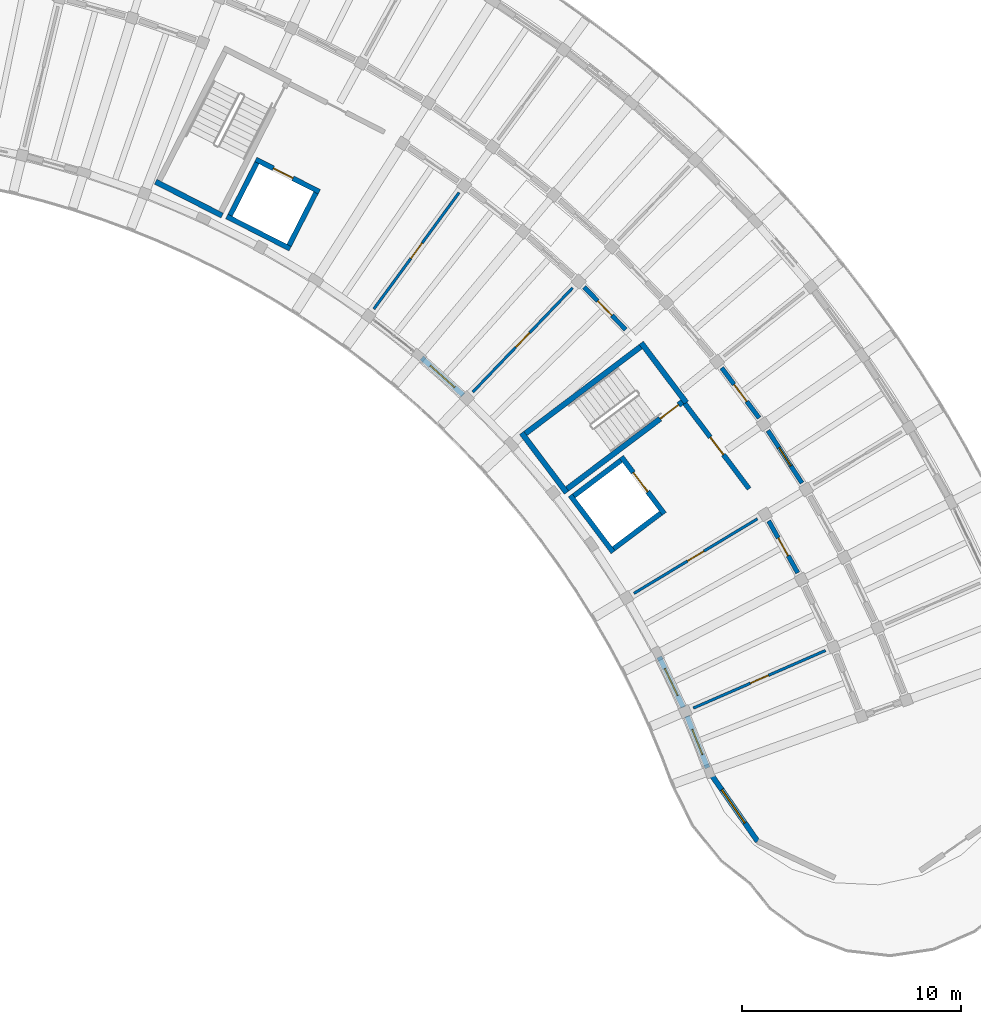
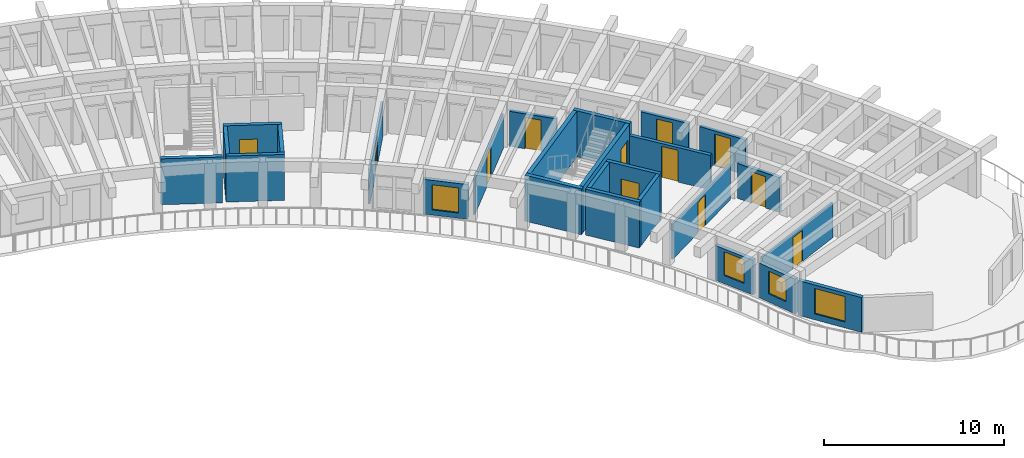
# One storey, part 55 of 83: 26 walls, 12 doors, 4 windows, 16 openings.
"""IFC4 building model written with IfcOpenShell, lengths in metres."""

from ifc_helpers import new_model, si_unit, direction, frame, frame_2d, origin, place, context, subcontext, project, spatial, rectangle, extrude, material, layer, layer_set, type_object, element, fill, save


model = new_model("IFC4")

# Units and contexts
model_context = context("Model", 3, precision=1e-05, world=origin(), true_north=direction((0.0, 1.0)))
body_context = subcontext(model_context, "Body", "Model", "MODEL_VIEW")
ifc_project = project(units=[si_unit("LENGTHUNIT", "METRE"), si_unit("AREAUNIT", "SQUARE_METRE"), si_unit("VOLUMEUNIT", "CUBIC_METRE"), si_unit("PLANEANGLEUNIT", "RADIAN"), si_unit("MASSUNIT", "GRAM", prefix="KILO")], contexts=[model_context])

# Site, building, storey
site_placement = place(None, origin())
site = spatial("IfcSite", under=ifc_project, at=site_placement, CompositionType="ELEMENT")
building_placement = place(site_placement, origin())
building = spatial("IfcBuilding", under=site, at=building_placement, Name="Tanwirah Colonnade Gardens", CompositionType="ELEMENT")
storey_placement = place(building_placement, frame((0.0, 0.0, 25.639892578125)))
storey = spatial("IfcBuildingStorey", under=building, at=storey_placement, Name="L07", CompositionType="ELEMENT", Elevation=25.639892578125)

# Wall, opening, window
ifc_material_1 = material(Name="Limestone architectural precast concrete C40/50", Category="masonry")
ifc_layer_1 = layer(ifc_material_1, 0.239990234375)
ifc_layer_set_1 = layer_set([ifc_layer_1], Name="Limestone architectural precast concrete C40/50")
wall_type_1 = type_object("IfcWallType", Name="EW-PC240", PredefinedType="SOLIDWALL", material=ifc_layer_set_1)
wall_1_placement = place(storey_placement, frame((162.768798828125, 75.389404296875, 0.0), z_axis=(0.0, 0.0, 1.0), x_axis=(-0.36914482699, 0.92937188289, 0.0)))
wall_1 = element("IfcWall", 1, at=wall_1_placement, inside=storey, type_object=wall_type_1, Name="Block B L07 IN Precast Facade Wall 1", PredefinedType="SOLIDWALL", context=body_context, shape_type="SweptSolid", body=[
    extrude(rectangle(XDim=2.55029296875, YDim=0.239990234375, at=frame_2d((1.275146484375, 0.0))), origin(), (0.0, 0.0, 1.0), 2.355224609375),
])
opening_1_placement = place(wall_1_placement, frame((0.655029296875, 0.0, 0.550048828125)))
opening_1 = element("IfcOpeningElement", 2, at=opening_1_placement, cuts=wall_1, Name="Opening WIN-U03", PredefinedType="OPENING", context=body_context, shape_type="SweptSolid", body=[
    extrude(rectangle(XDim=1.239990234375, YDim=1.534912109375, at=frame_2d((0.6201171875, 0.767578125))), frame((0.0, 0.1298828125, 0.0), z_axis=(0.0, -1.0, 0.0), x_axis=(1.0, 0.0, 0.0)), (0.0, 0.0, 1.0), 0.260009765625),
])
ifc_material_2 = material(Name="Thermally broken bronze aluminium and solar low-E double glazing", Category="aluminium")
window_type_1 = type_object("IfcWindowType", Name="WIN-U03", PartitioningType="DOUBLE_PANEL_VERTICAL", PredefinedType="WINDOW", material=ifc_material_2)
window_1_placement = place(opening_1_placement, origin())
window_1 = element("IfcWindow", 3, at=window_1_placement, inside=storey, type_object=window_type_1, Name="Facade window B-L07-IN-01", OverallHeight=1.534912109375, OverallWidth=1.239990234375, PartitioningType="SINGLE_PANEL", PredefinedType="WINDOW", context=body_context, shape_type="SweptSolid", body=[
    extrude(rectangle(XDim=1.239990234375, YDim=1.534912109375, at=frame_2d((0.6201171875, 0.767578125))), frame((0.0, 0.030029296875, 0.0), z_axis=(0.0, -1.0, 0.0), x_axis=(1.0, 0.0, 0.0)), (0.0, 0.0, 1.0), 0.06005859375),
])
fill(opening_1, window_1)

wall_2_placement = place(storey_placement, frame((161.651611328125, 78.16259765625, 0.0), z_axis=(0.0, 0.0, 1.0), x_axis=(-0.429628853088, 0.903005563988, 0.0)))
wall_2 = element("IfcWall", 4, at=wall_2_placement, inside=storey, type_object=wall_type_1, Name="Block B L07 IN Precast Facade Wall 2", PredefinedType="SOLIDWALL", context=body_context, shape_type="SweptSolid", body=[
    extrude(rectangle(XDim=2.55029296875, YDim=0.239990234375, at=frame_2d((1.275146484375, 0.0))), origin(), (0.0, 0.0, 1.0), 2.355224609375),
])
opening_2_placement = place(wall_2_placement, frame((0.59521484375, 0.0, 0.550048828125)))
opening_2 = element("IfcOpeningElement", 5, at=opening_2_placement, cuts=wall_2, Name="Opening WIN-U06", PredefinedType="OPENING", context=body_context, shape_type="SweptSolid", body=[
    extrude(rectangle(XDim=1.360107421875, YDim=1.610107421875, at=frame_2d((0.68017578125, 0.80517578125))), frame((0.0, 0.1298828125, 0.0), z_axis=(0.0, -1.0, 0.0), x_axis=(1.0, 0.0, 0.0)), (0.0, 0.0, 1.0), 0.260009765625),
])
window_type_2 = type_object("IfcWindowType", Name="WIN-U06", PartitioningType="DOUBLE_PANEL_VERTICAL", PredefinedType="WINDOW", material=ifc_material_2)
window_2_placement = place(opening_2_placement, origin())
window_2 = element("IfcWindow", 6, at=window_2_placement, inside=storey, type_object=window_type_2, Name="Facade window B-L07-IN-02", OverallHeight=1.610107421875, OverallWidth=1.360107421875, PartitioningType="SINGLE_PANEL", PredefinedType="WINDOW", context=body_context, shape_type="SweptSolid", body=[
    extrude(rectangle(XDim=1.360107421875, YDim=1.610107421875, at=frame_2d((0.68017578125, 0.80517578125))), frame((0.0, 0.030029296875, 0.0), z_axis=(0.0, -1.0, 0.0), x_axis=(1.0, 0.0, 0.0)), (0.0, 0.0, 1.0), 0.06005859375),
])
fill(opening_2, window_2)

wall_3_placement = place(storey_placement, frame((151.589599609375, 92.441162109375, 0.0), z_axis=(0.0, 0.0, 1.0), x_axis=(-0.744497243899, 0.667625534133, 0.0)))
wall_3 = element("IfcWall", 7, at=wall_3_placement, inside=storey, type_object=wall_type_1, Name="Block B L07 IN Precast Facade Wall 8", PredefinedType="SOLIDWALL", context=body_context, shape_type="SweptSolid", body=[
    extrude(rectangle(XDim=2.55029296875, YDim=0.239990234375, at=frame_2d((1.275146484375, 0.0))), origin(), (0.0, 0.0, 1.0), 2.355224609375),
])
opening_3_placement = place(wall_3_placement, frame((0.525146484375, 0.0, 0.35009765625)))
opening_3 = element("IfcOpeningElement", 8, at=opening_3_placement, cuts=wall_3, Name="Opening WIN-T08", PredefinedType="OPENING", context=body_context, shape_type="SweptSolid", body=[
    extrude(rectangle(XDim=1.5, YDim=1.699951171875, at=frame_2d((0.75, 0.85009765625))), frame((0.0, 0.1298828125, 0.0), z_axis=(0.0, -1.0, 0.0), x_axis=(1.0, 0.0, 0.0)), (0.0, 0.0, 1.0), 0.260009765625),
])
window_type_3 = type_object("IfcWindowType", Name="WIN-T08", PartitioningType="DOUBLE_PANEL_VERTICAL", PredefinedType="WINDOW", material=ifc_material_2)
window_3_placement = place(opening_3_placement, origin())
window_3 = element("IfcWindow", 9, at=window_3_placement, inside=storey, type_object=window_type_3, Name="Facade window B-L07-IN-08", OverallHeight=1.699951171875, OverallWidth=1.5, PartitioningType="SINGLE_PANEL", PredefinedType="WINDOW", context=body_context, shape_type="SweptSolid", body=[
    extrude(rectangle(XDim=1.5, YDim=1.699951171875, at=frame_2d((0.75, 0.85009765625))), frame((0.0, 0.030029296875, 0.0), z_axis=(0.0, -1.0, 0.0), x_axis=(1.0, 0.0, 0.0)), (0.0, 0.0, 1.0), 0.06005859375),
])
fill(opening_3, window_3)

wall_4_placement = place(storey_placement, frame((165.05712890625, 72.030517578125, 0.0), z_axis=(0.0, 0.0, 1.0), x_axis=(-0.570385273646, 0.821377282135, 0.0)))
wall_4 = element("IfcWall", 10, at=wall_4_placement, inside=storey, type_object=wall_type_1, Name="Block B L07 START Rounded End Wall 5", PredefinedType="SOLIDWALL", context=body_context, shape_type="SweptSolid", body=[
    extrude(rectangle(XDim=3.908203125, YDim=0.239990234375, at=frame_2d((1.9541015625, 0.0))), origin(), (0.0, 0.0, 1.0), 2.355224609375),
])
opening_4_placement = place(wall_4_placement, frame((1.029052734375, 0.0, 0.39990234375)))
opening_4 = element("IfcOpeningElement", 11, at=opening_4_placement, cuts=wall_4, Name="Opening WIN-END1", PredefinedType="OPENING", context=body_context, shape_type="SweptSolid", body=[
    extrude(rectangle(XDim=1.85009765625, YDim=1.719970703125, at=frame_2d((0.925048828125, 0.85986328125))), frame((0.0, 0.1298828125, 0.0), z_axis=(0.0, -1.0, 0.0), x_axis=(1.0, 0.0, 0.0)), (0.0, 0.0, 1.0), 0.260009765625),
])
window_type_4 = type_object("IfcWindowType", Name="WIN-END1", PartitioningType="TRIPLE_PANEL_VERTICAL", PredefinedType="WINDOW", material=ifc_material_2)
window_4_placement = place(opening_4_placement, origin())
window_4 = element("IfcWindow", 12, at=window_4_placement, inside=storey, type_object=window_type_4, Name="Rounded corner window B-L07-START-5", OverallHeight=1.719970703125, OverallWidth=1.85009765625, PartitioningType="SINGLE_PANEL", PredefinedType="WINDOW", context=body_context, shape_type="SweptSolid", body=[
    extrude(rectangle(XDim=1.85009765625, YDim=1.719970703125, at=frame_2d((0.925048828125, 0.85986328125))), frame((0.0, 0.030029296875, 0.0), z_axis=(0.0, -1.0, 0.0), x_axis=(1.0, 0.0, 0.0)), (0.0, 0.0, 1.0), 0.06005859375),
])
fill(opening_4, window_4)

# Wall, opening, door
ifc_material_3 = material(Name="Precast concrete C40/50", Category="concrete")
ifc_layer_2 = layer(ifc_material_3, 0.205078125)
ifc_layer_set_2 = layer_set([ifc_layer_2], Name="Precast concrete C40/50")
wall_type_2 = type_object("IfcWallType", Name="IW-CORR205", PredefinedType="PARTITIONING", material=ifc_layer_set_2)
wall_5_placement = place(storey_placement, frame((166.89013671875, 84.313232421875, 0.0), z_axis=(0.0, 0.0, 1.0), x_axis=(-0.48819576874, 0.872734147025, 0.0)))
wall_5 = element("IfcWall", 13, at=wall_5_placement, inside=storey, type_object=wall_type_2, Name="Block B L07 IN Corridor Wall 3", PredefinedType="PARTITIONING", context=body_context, shape_type="SweptSolid", body=[
    extrude(rectangle(XDim=2.718017578125, YDim=0.205078125, at=frame_2d((1.35888671875, 0.0))), origin(), (0.0, 0.0, 1.0), 2.3701171875),
])
opening_5_placement = place(wall_5_placement, frame((0.89404296875, 0.0, 0.0)))
opening_5 = element("IfcOpeningElement", 14, at=opening_5_placement, cuts=wall_5, Name="Opening L07-AD1093", PredefinedType="OPENING", context=body_context, shape_type="SweptSolid", body=[
    extrude(rectangle(XDim=0.929931640625, YDim=2.1201171875, at=frame_2d((0.46484375, 1.06005859375))), frame((0.0, 0.112548828125, 0.0), z_axis=(0.0, -1.0, 0.0), x_axis=(1.0, 0.0, 0.0)), (0.0, 0.0, 1.0), 0.22509765625),
])
ifc_material_4 = material(Name="Solid oak fire-resisting apartment entrance door")
door_type_1 = type_object("IfcDoorType", Name="ID-FLT093", OperationType="NOTDEFINED", PredefinedType="DOOR", material=ifc_material_4)
door_1_placement = place(opening_5_placement, origin())
door_1 = element("IfcDoor", 15, at=door_1_placement, inside=storey, type_object=door_type_1, Name="Apartment corridor door L07-AD1093", OperationType="SINGLE_SWING_RIGHT", OverallHeight=2.1201171875, OverallWidth=0.929931640625, PredefinedType="DOOR", context=body_context, shape_type="SweptSolid", body=[
    extrude(rectangle(XDim=0.929931640625, YDim=2.1201171875, at=frame_2d((0.46484375, 1.06005859375))), frame((0.0, 0.02490234375, 0.0), z_axis=(0.0, -1.0, 0.0), x_axis=(1.0, 0.0, 0.0)), (0.0, 0.0, 1.0), 0.050048828125),
])
fill(opening_5, door_1)

wall_6_placement = place(storey_placement, frame((167.085205078125, 88.421142578125, 0.0), z_axis=(0.0, 0.0, 1.0), x_axis=(-0.544643612649, 0.838667595178, 0.0)))
wall_6 = element("IfcWall", 16, at=wall_6_placement, inside=storey, type_object=wall_type_2, Name="Block B L07 OUT Corridor Wall 4", PredefinedType="PARTITIONING", context=body_context, shape_type="SweptSolid", body=[
    extrude(rectangle(XDim=2.863037109375, YDim=0.205078125, at=frame_2d((1.431640625, 0.0))), origin(), (0.0, 0.0, 1.0), 2.3701171875),
])
opening_6_placement = place(wall_6_placement, frame((0.9365234375, 0.0, 0.0)))
opening_6 = element("IfcOpeningElement", 17, at=opening_6_placement, cuts=wall_6, Name="Opening L07-AD1096", PredefinedType="OPENING", context=body_context, shape_type="SweptSolid", body=[
    extrude(rectangle(XDim=0.989990234375, YDim=2.159912109375, at=frame_2d((0.4951171875, 1.080078125))), frame((0.0, 0.112548828125, 0.0), z_axis=(0.0, -1.0, 0.0), x_axis=(1.0, 0.0, 0.0)), (0.0, 0.0, 1.0), 0.22509765625),
])
door_type_2 = type_object("IfcDoorType", Name="ID-FLT099", OperationType="NOTDEFINED", PredefinedType="DOOR", material=ifc_material_4)
door_2_placement = place(opening_6_placement, origin())
door_2 = element("IfcDoor", 18, at=door_2_placement, inside=storey, type_object=door_type_2, Name="Apartment corridor door L07-AD1096", OperationType="SINGLE_SWING_RIGHT", OverallHeight=2.159912109375, OverallWidth=0.989990234375, PredefinedType="DOOR", context=body_context, shape_type="SweptSolid", body=[
    extrude(rectangle(XDim=0.989990234375, YDim=2.159912109375, at=frame_2d((0.4951171875, 1.080078125))), frame((0.0, 0.02490234375, 0.0), z_axis=(0.0, -1.0, 0.0), x_axis=(1.0, 0.0, 0.0)), (0.0, 0.0, 1.0), 0.050048828125),
])
fill(opening_6, door_2)

wall_7_placement = place(storey_placement, frame((165.125732421875, 91.396240234375, 0.0), z_axis=(0.0, 0.0, 1.0), x_axis=(-0.598757763243, 0.800930172335, 0.0)))
wall_7 = element("IfcWall", 19, at=wall_7_placement, inside=storey, type_object=wall_type_2, Name="Block B L07 OUT Corridor Wall 5", PredefinedType="PARTITIONING", context=body_context, shape_type="SweptSolid", body=[
    extrude(rectangle(XDim=2.86328125, YDim=0.205078125, at=frame_2d((1.431640625, 0.0))), origin(), (0.0, 0.0, 1.0), 2.3701171875),
])
opening_7_placement = place(wall_7_placement, frame((0.946533203125, 0.0, 0.0)))
opening_7 = element("IfcOpeningElement", 20, at=opening_7_placement, cuts=wall_7, Name="Opening L07-AD1097", PredefinedType="OPENING", context=body_context, shape_type="SweptSolid", body=[
    extrude(rectangle(XDim=0.969970703125, YDim=2.14990234375, at=frame_2d((0.48486328125, 1.074951171875))), frame((0.0, 0.112548828125, 0.0), z_axis=(0.0, -1.0, 0.0), x_axis=(1.0, 0.0, 0.0)), (0.0, 0.0, 1.0), 0.22509765625),
])
door_type_3 = type_object("IfcDoorType", Name="ID-FLT097", OperationType="NOTDEFINED", PredefinedType="DOOR", material=ifc_material_4)
door_3_placement = place(opening_7_placement, origin())
door_3 = element("IfcDoor", 21, at=door_3_placement, inside=storey, type_object=door_type_3, Name="Apartment corridor door L07-AD1097", OperationType="SINGLE_SWING_LEFT", OverallHeight=2.14990234375, OverallWidth=0.969970703125, PredefinedType="DOOR", context=body_context, shape_type="SweptSolid", body=[
    extrude(rectangle(XDim=0.969970703125, YDim=2.14990234375, at=frame_2d((0.48486328125, 1.074951171875))), frame((0.0, 0.02490234375, 0.0), z_axis=(0.0, -1.0, 0.0), x_axis=(1.0, 0.0, 0.0)), (0.0, 0.0, 1.0), 0.050048828125),
])
fill(opening_7, door_3)

wall_8_placement = place(storey_placement, frame((159.01708984375, 95.442626953125, 0.0), z_axis=(0.0, 0.0, 1.0), x_axis=(-0.698840007829, 0.715278018296, 0.0)))
wall_8 = element("IfcWall", 22, at=wall_8_placement, inside=storey, type_object=wall_type_2, Name="Block B L07 IN Corridor Wall 7", PredefinedType="PARTITIONING", context=body_context, shape_type="SweptSolid", body=[
    extrude(rectangle(XDim=2.718017578125, YDim=0.205078125, at=frame_2d((1.35888671875, 0.0))), origin(), (0.0, 0.0, 1.0), 2.3701171875),
])
opening_8_placement = place(wall_8_placement, frame((0.89404296875, 0.0, 0.0)))
opening_8 = element("IfcOpeningElement", 23, at=opening_8_placement, cuts=wall_8, Name="Opening L07-AD1101", PredefinedType="OPENING", context=body_context, shape_type="SweptSolid", body=[
    extrude(rectangle(XDim=0.929931640625, YDim=2.1201171875, at=frame_2d((0.46484375, 1.06005859375))), frame((0.0, 0.112548828125, 0.0), z_axis=(0.0, -1.0, 0.0), x_axis=(1.0, 0.0, 0.0)), (0.0, 0.0, 1.0), 0.22509765625),
])
door_4_placement = place(opening_8_placement, origin())
door_4 = element("IfcDoor", 24, at=door_4_placement, inside=storey, type_object=door_type_1, Name="Apartment corridor door L07-AD1101", OperationType="SINGLE_SWING_RIGHT", OverallHeight=2.1201171875, OverallWidth=0.929931640625, PredefinedType="DOOR", context=body_context, shape_type="SweptSolid", body=[
    extrude(rectangle(XDim=0.929931640625, YDim=2.1201171875, at=frame_2d((0.46484375, 1.06005859375))), frame((0.0, 0.02490234375, 0.0), z_axis=(0.0, -1.0, 0.0), x_axis=(1.0, 0.0, 0.0)), (0.0, 0.0, 1.0), 0.050048828125),
])
fill(opening_8, door_4)

ifc_material_5 = material(Name="Autoclaved aerated masonry blockwork", Category="masonry")
ifc_layer_3 = layer(ifc_material_5, 0.219970703125)
ifc_layer_set_3 = layer_set([ifc_layer_3], Name="Autoclaved aerated masonry blockwork")
wall_type_3 = type_object("IfcWallType", Name="IW-FFL220", PredefinedType="PARTITIONING", material=ifc_layer_set_3)
wall_9_placement = place(storey_placement, frame((161.7177734375, 92.072509765625, 0.0), z_axis=(0.0, 0.0, 1.0), x_axis=(0.601792209296, -0.79865270101, 0.0)))
wall_9 = element("IfcWall", 25, at=wall_9_placement, inside=storey, type_object=wall_type_3, Name="CORE-B1 L07 Enclosed Lobby Fire Wall", PredefinedType="PARTITIONING", context=body_context, shape_type="SweptSolid", body=[
    extrude(rectangle(XDim=4.89990234375, YDim=0.219970703125, at=frame_2d((2.449951171875, 0.0))), origin(), (0.0, 0.0, 1.0), 2.340087890625),
])
opening_9_placement = place(wall_9_placement, frame((1.949951171875, 0.0, 0.0)))
opening_9 = element("IfcOpeningElement", 26, at=opening_9_placement, cuts=wall_9, Name="Opening L07-LD087", PredefinedType="OPENING", context=body_context, shape_type="SweptSolid", body=[
    extrude(rectangle(XDim=1.0, YDim=2.14990234375, at=frame_2d((0.5, 1.074951171875))), frame((0.0, 0.119873046875, 0.0), z_axis=(0.0, -1.0, 0.0), x_axis=(1.0, 0.0, 0.0)), (0.0, 0.0, 1.0), 0.239990234375),
])
ifc_material_6 = material(Name="Acoustic fire-resisting lobby door")
door_type_4 = type_object("IfcDoorType", Name="ID-FFL100", OperationType="NOTDEFINED", PredefinedType="DOOR", material=ifc_material_6)
door_5_placement = place(opening_9_placement, origin())
door_5 = element("IfcDoor", 27, at=door_5_placement, inside=storey, type_object=door_type_4, Name="CORE-B1 L07 Lobby Fire Door L07-LD087", OperationType="SINGLE_SWING_RIGHT", OverallHeight=2.14990234375, OverallWidth=1.0, PredefinedType="DOOR", context=body_context, shape_type="SweptSolid", body=[
    extrude(rectangle(XDim=1.0, YDim=2.14990234375, at=frame_2d((0.5, 1.074951171875))), frame((0.0, 0.02490234375, 0.0), z_axis=(0.0, -1.0, 0.0), x_axis=(1.0, 0.0, 0.0)), (0.0, 0.0, 1.0), 0.050048828125),
])
fill(opening_9, door_5)

ifc_material_7 = material(Name="Moisture-resistant gypsum stud partition")
ifc_layer_4 = layer(ifc_material_7, 0.125)
ifc_layer_set_4 = layer_set([ifc_layer_4], Name="Moisture-resistant gypsum stud partition")
wall_type_4 = type_object("IfcWallType", Name="IW-INT125", PredefinedType="PARTITIONING", material=ifc_layer_set_4)
wall_10_placement = place(storey_placement, frame((162.11279296875, 78.123779296875, 0.0), z_axis=(0.0, 0.0, 1.0), x_axis=(0.916668515796, 0.399648385645, 0.0)))
wall_10 = element("IfcWall", 28, at=wall_10_placement, inside=storey, type_object=wall_type_4, Name="Block B L07 Inner Radial Partition 1", PredefinedType="PARTITIONING", context=body_context, shape_type="SweptSolid", body=[
    extrude(rectangle(XDim=6.60009765625, YDim=0.125, at=frame_2d((3.300048828125, 0.0))), origin(), (0.0, 0.0, 1.0), 2.3701171875),
])
opening_10_placement = place(wall_10_placement, frame((2.844970703125, 0.0, 0.0)))
opening_10 = element("IfcOpeningElement", 29, at=opening_10_placement, cuts=wall_10, Name="Opening L07-RD1089", PredefinedType="OPENING", context=body_context, shape_type="SweptSolid", body=[
    extrude(rectangle(XDim=0.909912109375, YDim=2.10009765625, at=frame_2d((0.455078125, 1.050048828125))), frame((0.0, 0.072509765625, 0.0), z_axis=(0.0, -1.0, 0.0), x_axis=(1.0, 0.0, 0.0)), (0.0, 0.0, 1.0), 0.14501953125),
])
ifc_material_8 = material(Name="Painted hardwood internal room door", Category="wood")
door_type_5 = type_object("IfcDoorType", Name="ID-RM091", OperationType="NOTDEFINED", PredefinedType="DOOR", material=ifc_material_8)
door_6_placement = place(opening_10_placement, origin())
door_6 = element("IfcDoor", 30, at=door_6_placement, inside=storey, type_object=door_type_5, Name="Internal apartment door L07-RD1089", OperationType="SINGLE_SWING_RIGHT", OverallHeight=2.10009765625, OverallWidth=0.909912109375, PredefinedType="DOOR", context=body_context, shape_type="SweptSolid", body=[
    extrude(rectangle(XDim=0.909912109375, YDim=2.10009765625, at=frame_2d((0.455078125, 1.050048828125))), frame((0.0, 0.02490234375, 0.0), z_axis=(0.0, -1.0, 0.0), x_axis=(1.0, 0.0, 0.0)), (0.0, 0.0, 1.0), 0.050048828125),
])
fill(opening_10, door_6)

wall_11_placement = place(storey_placement, frame((159.399169921875, 83.3740234375, 0.0), z_axis=(0.0, 0.0, 1.0), x_axis=(0.85616819337, 0.516697227263, 0.0)))
wall_11 = element("IfcWall", 31, at=wall_11_placement, inside=storey, type_object=wall_type_4, Name="Block B L07 Inner Radial Partition 3", PredefinedType="PARTITIONING", context=body_context, shape_type="SweptSolid", body=[
    extrude(rectangle(XDim=6.599853515625, YDim=0.125, at=frame_2d((3.2998046875, 0.0))), origin(), (0.0, 0.0, 1.0), 2.3701171875),
])
opening_11_placement = place(wall_11_placement, frame((2.864990234375, 0.0, 0.0)))
opening_11 = element("IfcOpeningElement", 32, at=opening_11_placement, cuts=wall_11, Name="Opening L07-RD1095", PredefinedType="OPENING", context=body_context, shape_type="SweptSolid", body=[
    extrude(rectangle(XDim=0.8701171875, YDim=2.080078125, at=frame_2d((0.43505859375, 1.0400390625))), frame((0.0, 0.072509765625, 0.0), z_axis=(0.0, -1.0, 0.0), x_axis=(1.0, 0.0, 0.0)), (0.0, 0.0, 1.0), 0.14501953125),
])
ifc_material_9 = material(Name="Painted hardwood study door", Category="wood")
door_type_6 = type_object("IfcDoorType", Name="ID-RM087", OperationType="NOTDEFINED", PredefinedType="DOOR", material=ifc_material_9)
door_7_placement = place(opening_11_placement, origin())
door_7 = element("IfcDoor", 33, at=door_7_placement, inside=storey, type_object=door_type_6, Name="Internal apartment door L07-RD1095", OperationType="SINGLE_SWING_RIGHT", OverallHeight=2.080078125, OverallWidth=0.8701171875, PredefinedType="DOOR", context=body_context, shape_type="SweptSolid", body=[
    extrude(rectangle(XDim=0.8701171875, YDim=2.080078125, at=frame_2d((0.43505859375, 1.0400390625))), frame((0.0, 0.02490234375, 0.0), z_axis=(0.0, -1.0, 0.0), x_axis=(1.0, 0.0, 0.0)), (0.0, 0.0, 1.0), 0.050048828125),
])
fill(opening_11, door_7)

wall_12_placement = place(storey_placement, frame((152.030029296875, 92.5830078125, 0.0), z_axis=(0.0, 0.0, 1.0), x_axis=(0.691872422458, 0.722019771919, 0.0)))
wall_12 = element("IfcWall", 34, at=wall_12_placement, inside=storey, type_object=wall_type_4, Name="Block B L07 Inner Radial Partition 7", PredefinedType="PARTITIONING", context=body_context, shape_type="SweptSolid", body=[
    extrude(rectangle(XDim=6.60009765625, YDim=0.125, at=frame_2d((3.300048828125, 0.0))), origin(), (0.0, 0.0, 1.0), 2.3701171875),
])
opening_12_placement = place(wall_12_placement, frame((2.844970703125, 0.0, 0.0)))
opening_12 = element("IfcOpeningElement", 35, at=opening_12_placement, cuts=wall_12, Name="Opening L07-RD1103", PredefinedType="OPENING", context=body_context, shape_type="SweptSolid", body=[
    extrude(rectangle(XDim=0.909912109375, YDim=2.10009765625, at=frame_2d((0.455078125, 1.050048828125))), frame((0.0, 0.072509765625, 0.0), z_axis=(0.0, -1.0, 0.0), x_axis=(1.0, 0.0, 0.0)), (0.0, 0.0, 1.0), 0.14501953125),
])
door_8_placement = place(opening_12_placement, origin())
door_8 = element("IfcDoor", 36, at=door_8_placement, inside=storey, type_object=door_type_5, Name="Internal apartment door L07-RD1103", OperationType="SINGLE_SWING_RIGHT", OverallHeight=2.10009765625, OverallWidth=0.909912109375, PredefinedType="DOOR", context=body_context, shape_type="SweptSolid", body=[
    extrude(rectangle(XDim=0.909912109375, YDim=2.10009765625, at=frame_2d((0.455078125, 1.050048828125))), frame((0.0, 0.02490234375, 0.0), z_axis=(0.0, -1.0, 0.0), x_axis=(1.0, 0.0, 0.0)), (0.0, 0.0, 1.0), 0.050048828125),
])
fill(opening_12, door_8)

wall_13_placement = place(storey_placement, frame((147.502685546875, 96.3818359375, 0.0), z_axis=(0.0, 0.0, 1.0), x_axis=(0.590924179316, 0.806727100263, 0.0)))
wall_13 = element("IfcWall", 37, at=wall_13_placement, inside=storey, type_object=wall_type_4, Name="Block B L07 Inner Radial Partition 9", PredefinedType="PARTITIONING", context=body_context, shape_type="SweptSolid", body=[
    extrude(rectangle(XDim=6.60009765625, YDim=0.125, at=frame_2d((3.300048828125, 0.0))), origin(), (0.0, 0.0, 1.0), 2.3701171875),
])
opening_13_placement = place(wall_13_placement, frame((2.864990234375, 0.0, 0.0)))
opening_13 = element("IfcOpeningElement", 38, at=opening_13_placement, cuts=wall_13, Name="Opening L07-RD1109", PredefinedType="OPENING", context=body_context, shape_type="SweptSolid", body=[
    extrude(rectangle(XDim=0.8701171875, YDim=2.080078125, at=frame_2d((0.43505859375, 1.0400390625))), frame((0.0, 0.072509765625, 0.0), z_axis=(0.0, -1.0, 0.0), x_axis=(1.0, 0.0, 0.0)), (0.0, 0.0, 1.0), 0.14501953125),
])
door_9_placement = place(opening_13_placement, origin())
door_9 = element("IfcDoor", 39, at=door_9_placement, inside=storey, type_object=door_type_6, Name="Internal apartment door L07-RD1109", OperationType="SINGLE_SWING_RIGHT", OverallHeight=2.080078125, OverallWidth=0.8701171875, PredefinedType="DOOR", context=body_context, shape_type="SweptSolid", body=[
    extrude(rectangle(XDim=0.8701171875, YDim=2.080078125, at=frame_2d((0.43505859375, 1.0400390625))), frame((0.0, 0.02490234375, 0.0), z_axis=(0.0, -1.0, 0.0), x_axis=(1.0, 0.0, 0.0)), (0.0, 0.0, 1.0), 0.050048828125),
])
fill(opening_13, door_9)

# Walls
ifc_material_10 = material(Name="Concrete C45/55", Category="concrete")
ifc_layer_5 = layer(ifc_material_10, 0.25)
ifc_layer_set_5 = layer_set([ifc_layer_5], Name="Concrete C45/55")
wall_type_5 = type_object("IfcWallType", Name="SW-CORE250", PredefinedType="SHEAR", material=ifc_layer_set_5)
wall_14_placement = place(storey_placement, frame((159.706787109375, 94.657958984375, 0.0), z_axis=(0.0, 0.0, 1.0), x_axis=(-0.798639633744, -0.601809550782, 0.0)))
element("IfcWall", 40, at=wall_14_placement, inside=storey, type_object=wall_type_5, Name="CORE-B1 L07 Stair Shaft Shear Wall LEFT", PredefinedType="SHEAR", context=body_context, shape_type="SweptSolid", body=[
    extrude(rectangle(XDim=6.599853515625, YDim=0.25, at=frame_2d((3.2998046875, 0.0))), origin(), (0.0, 0.0, 1.0), 3.110107421875),
])
wall_15_placement = place(storey_placement, frame((154.2607421875, 90.710693359375, 0.0), z_axis=(0.0, 0.0, 1.0), x_axis=(0.601825826579, -0.798627368967, 0.0)))
element("IfcWall", 41, at=wall_15_placement, inside=storey, type_object=wall_type_5, Name="CORE-B1 L07 Stair Shaft Shear Wall FAR", PredefinedType="SHEAR", context=body_context, shape_type="SweptSolid", body=[
    extrude(rectangle(XDim=3.420166015625, YDim=0.25, at=frame_2d((1.7099609375, 0.0))), origin(), (0.0, 0.0, 1.0), 3.110107421875),
])
wall_16_placement = place(storey_placement, frame((159.7314453125, 94.8330078125, 0.0), z_axis=(0.0, 0.0, 1.0), x_axis=(0.601814606132, -0.798635824294, 0.0)))
element("IfcWall", 42, at=wall_16_placement, inside=storey, type_object=wall_type_5, Name="CORE-B1 L07 Stair Shaft Shear Wall NEAR", PredefinedType="SHEAR", context=body_context, shape_type="SweptSolid", body=[
    extrude(rectangle(XDim=3.419921875, YDim=0.25, at=frame_2d((1.7099609375, 0.0))), origin(), (0.0, 0.0, 1.0), 3.110107421875),
])

# Wall, opening, door
wall_17_placement = place(storey_placement, frame((161.614501953125, 92.126220703125, 0.0), z_axis=(0.0, 0.0, 1.0), x_axis=(-0.798639633744, -0.601809550782, 0.0)))
wall_17 = element("IfcWall", 43, at=wall_17_placement, inside=storey, type_object=wall_type_5, Name="CORE-B1 L07 Stair Shaft Shear Wall RIGHT", PredefinedType="SHEAR", context=body_context, shape_type="SweptSolid", body=[
    extrude(rectangle(XDim=6.599853515625, YDim=0.25, at=frame_2d((3.2998046875, 0.0))), origin(), (0.0, 0.0, 1.0), 3.110107421875),
])
opening_14_placement = place(wall_17_placement, frame((0.219970703125, 0.0, 0.0)))
opening_14 = element("IfcOpeningElement", 44, at=opening_14_placement, cuts=wall_17, Name="Opening L07-SD073", PredefinedType="OPENING", context=body_context, shape_type="SweptSolid", body=[
    extrude(rectangle(XDim=1.050048828125, YDim=2.14990234375, at=frame_2d((0.52490234375, 1.074951171875))), frame((0.0, 0.135009765625, 0.0), z_axis=(0.0, -1.0, 0.0), x_axis=(1.0, 0.0, 0.0)), (0.0, 0.0, 1.0), 0.27001953125),
])
ifc_material_11 = material(Name="Steel fire-resisting stair enclosure door", Category="steel")
door_type_7 = type_object("IfcDoorType", Name="ID-ST105", OperationType="NOTDEFINED", PredefinedType="DOOR", material=ifc_material_11)
door_10_placement = place(opening_14_placement, origin())
door_10 = element("IfcDoor", 45, at=door_10_placement, inside=storey, type_object=door_type_7, Name="CORE-B1 L07 Stair Fire Door L07-SD073", OperationType="SINGLE_SWING_RIGHT", OverallHeight=2.14990234375, OverallWidth=1.050048828125, PredefinedType="DOOR", context=body_context, shape_type="SweptSolid", body=[
    extrude(rectangle(XDim=1.050048828125, YDim=2.14990234375, at=frame_2d((0.52490234375, 1.074951171875))), frame((0.0, 0.02490234375, 0.0), z_axis=(0.0, -1.0, 0.0), x_axis=(1.0, 0.0, 0.0)), (0.0, 0.0, 1.0), 0.050048828125),
])
fill(opening_14, door_10)

# Wall
wall_18_placement = place(storey_placement, frame((137.51953125, 102.203369140625, 0.0), z_axis=(0.0, 0.0, 1.0), x_axis=(0.891003540237, -0.453996356025, 0.0)))
element("IfcWall", 46, at=wall_18_placement, inside=storey, type_object=wall_type_5, Name="CORE-B2 L07 Stair Shaft Shear Wall FAR", PredefinedType="SHEAR", context=body_context, shape_type="SweptSolid", body=[
    extrude(rectangle(XDim=3.420166015625, YDim=0.25, at=frame_2d((1.7099609375, 0.0))), origin(), (0.0, 0.0, 1.0), 3.110107421875),
])

# Wall, opening, door
ifc_layer_6 = layer(ifc_material_10, 0.22998046875)
ifc_layer_set_6 = layer_set([ifc_layer_6], Name="Concrete C45/55")
wall_type_6 = type_object("IfcWallType", Name="SW-LIFT230", PredefinedType="SHEAR", material=ifc_layer_set_6)
wall_19_placement = place(storey_placement, frame((158.827392578125, 89.618896484375, 0.0), z_axis=(0.0, 0.0, 1.0), x_axis=(0.601819781152, -0.798631924615, 0.0)))
wall_19 = element("IfcWall", 47, at=wall_19_placement, inside=storey, type_object=wall_type_6, Name="CORE-B1 L07 Lift Shaft Wall FRONT", PredefinedType="SHEAR", context=body_context, shape_type="SweptSolid", body=[
    extrude(rectangle(XDim=3.260009765625, YDim=0.22998046875, at=frame_2d((1.6298828125, 0.0))), origin(), (0.0, 0.0, 1.0), 3.110107421875),
])
opening_15_placement = place(wall_19_placement, frame((0.89990234375, 0.0, 0.0)))
opening_15 = element("IfcOpeningElement", 48, at=opening_15_placement, cuts=wall_19, Name="Opening L07-LD-FL-B1", PredefinedType="OPENING", context=body_context, shape_type="SweptSolid", body=[
    extrude(rectangle(XDim=1.10009765625, YDim=2.14990234375, at=frame_2d((0.550048828125, 1.074951171875))), frame((0.0, 0.125, 0.0), z_axis=(0.0, -1.0, 0.0), x_axis=(1.0, 0.0, 0.0)), (0.0, 0.0, 1.0), 0.25),
])
ifc_material_12 = material(Name="Stainless steel sliding fire lift landing door", Category="steel")
door_type_8 = type_object("IfcDoorType", Name="LD-FF11", OperationType="DOUBLE_DOOR_SLIDING", PredefinedType="DOOR", material=ifc_material_12)
door_11_placement = place(opening_15_placement, origin())
door_11 = element("IfcDoor", 49, at=door_11_placement, inside=storey, type_object=door_type_8, Name="Lift FL-B1 L07 Sliding Landing Door", OperationType="DOUBLE_DOOR_SLIDING", OverallHeight=2.14990234375, OverallWidth=1.10009765625, PredefinedType="DOOR", context=body_context, shape_type="SweptSolid", body=[
    extrude(rectangle(XDim=1.10009765625, YDim=2.14990234375, at=frame_2d((0.550048828125, 1.074951171875))), frame((0.0, 0.02490234375, 0.0), z_axis=(0.0, -1.0, 0.0), x_axis=(1.0, 0.0, 0.0)), (0.0, 0.0, 1.0), 0.050048828125),
])
fill(opening_15, door_11)

# Walls
wall_20_placement = place(storey_placement, frame((156.4873046875, 87.855712890625, 0.0), z_axis=(0.0, 0.0, 1.0), x_axis=(0.601819781152, -0.798631924615, 0.0)))
element("IfcWall", 50, at=wall_20_placement, inside=storey, type_object=wall_type_6, Name="CORE-B1 L07 Lift Shaft Wall BACK", PredefinedType="SHEAR", context=body_context, shape_type="SweptSolid", body=[
    extrude(rectangle(XDim=3.260009765625, YDim=0.22998046875, at=frame_2d((1.6298828125, 0.0))), origin(), (0.0, 0.0, 1.0), 3.110107421875),
])
for number, where, z_axis, x_axis, name in (
    (51, (158.8046875, 89.4580078125, 0.0), (0.0, 0.0, 1.0), (-0.798608971494, -0.601850239387, 0.0), "CORE-B1 L07 Lift Shaft Wall SIDEA"),
    (52, (160.628173828125, 87.0380859375, 0.0), (0.0, 0.0, 1.0), (-0.798608971494, -0.601850239387, 0.0), "CORE-B1 L07 Lift Shaft Wall SIDEB"),
):
    element("IfcWall", number, at=place(storey_placement, frame(where, z_axis=z_axis, x_axis=x_axis)), inside=storey, type_object=wall_type_6, Name=name, PredefinedType="SHEAR", context=body_context, shape_type="SweptSolid", body=[
        extrude(rectangle(XDim=2.699951171875, YDim=0.22998046875, at=frame_2d((1.35009765625, 0.0))), origin(), (0.0, 0.0, 1.0), 3.110107421875),
    ])

# Wall, opening, door
wall_21_placement = place(storey_placement, frame((142.1025390625, 103.223876953125, 0.0), z_axis=(0.0, 0.0, 1.0), x_axis=(0.891001200497, -0.454000947921, 0.0)))
wall_21 = element("IfcWall", 53, at=wall_21_placement, inside=storey, type_object=wall_type_6, Name="CORE-B2 L07 Lift Shaft Wall FRONT", PredefinedType="SHEAR", context=body_context, shape_type="SweptSolid", body=[
    extrude(rectangle(XDim=3.259765625, YDim=0.22998046875, at=frame_2d((1.6298828125, 0.0))), origin(), (0.0, 0.0, 1.0), 3.110107421875),
])
opening_16_placement = place(wall_21_placement, frame((0.89990234375, 0.0, 0.0)))
opening_16 = element("IfcOpeningElement", 54, at=opening_16_placement, cuts=wall_21, Name="Opening L07-LD-PL-B2", PredefinedType="OPENING", context=body_context, shape_type="SweptSolid", body=[
    extrude(rectangle(XDim=1.0, YDim=2.14990234375, at=frame_2d((0.5, 1.074951171875))), frame((0.0, 0.125, 0.0), z_axis=(0.0, -1.0, 0.0), x_axis=(1.0, 0.0, 0.0)), (0.0, 0.0, 1.0), 0.25),
])
ifc_material_13 = material(Name="Bronze stainless steel sliding lift landing door", Category="steel")
door_type_9 = type_object("IfcDoorType", Name="LD-PS10", OperationType="DOUBLE_DOOR_SLIDING", PredefinedType="DOOR", material=ifc_material_13)
door_12_placement = place(opening_16_placement, origin())
door_12 = element("IfcDoor", 55, at=door_12_placement, inside=storey, type_object=door_type_9, Name="Lift PL-B2 L07 Sliding Landing Door", OperationType="DOUBLE_DOOR_SLIDING", OverallHeight=2.14990234375, OverallWidth=1.0, PredefinedType="DOOR", context=body_context, shape_type="SweptSolid", body=[
    extrude(rectangle(XDim=1.0, YDim=2.14990234375, at=frame_2d((0.5, 1.074951171875))), frame((0.0, 0.02490234375, 0.0), z_axis=(0.0, -1.0, 0.0), x_axis=(1.0, 0.0, 0.0)), (0.0, 0.0, 1.0), 0.050048828125),
])
fill(opening_16, door_12)

# Walls
wall_22_placement = place(storey_placement, frame((140.772216796875, 100.61328125, 0.0), z_axis=(0.0, 0.0, 1.0), x_axis=(0.891016635648, -0.453970654337, 0.0)))
element("IfcWall", 56, at=wall_22_placement, inside=storey, type_object=wall_type_6, Name="CORE-B2 L07 Lift Shaft Wall BACK", PredefinedType="SHEAR", context=body_context, shape_type="SweptSolid", body=[
    extrude(rectangle(XDim=3.260009765625, YDim=0.22998046875, at=frame_2d((1.6298828125, 0.0))), origin(), (0.0, 0.0, 1.0), 3.110107421875),
])
for number, where, z_axis, x_axis, name in (
    (57, (142.15283203125, 103.0693359375, 0.0), (0.0, 0.0, 1.0), (-0.454000278178, -0.891001541758, 0.0), "CORE-B2 L07 Lift Shaft Wall SIDEA"),
    (58, (144.8525390625, 101.693603515625, 0.0), (0.0, 0.0, 1.0), (-0.454036857101, -0.890982902414, 0.0), "CORE-B2 L07 Lift Shaft Wall SIDEB"),
):
    element("IfcWall", number, at=place(storey_placement, frame(where, z_axis=z_axis, x_axis=x_axis)), inside=storey, type_object=wall_type_6, Name=name, PredefinedType="SHEAR", context=body_context, shape_type="SweptSolid", body=[
        extrude(rectangle(XDim=2.699951171875, YDim=0.22998046875, at=frame_2d((1.35009765625, 0.0))), origin(), (0.0, 0.0, 1.0), 3.110107421875),
    ])

save(model, "model.ifc")
